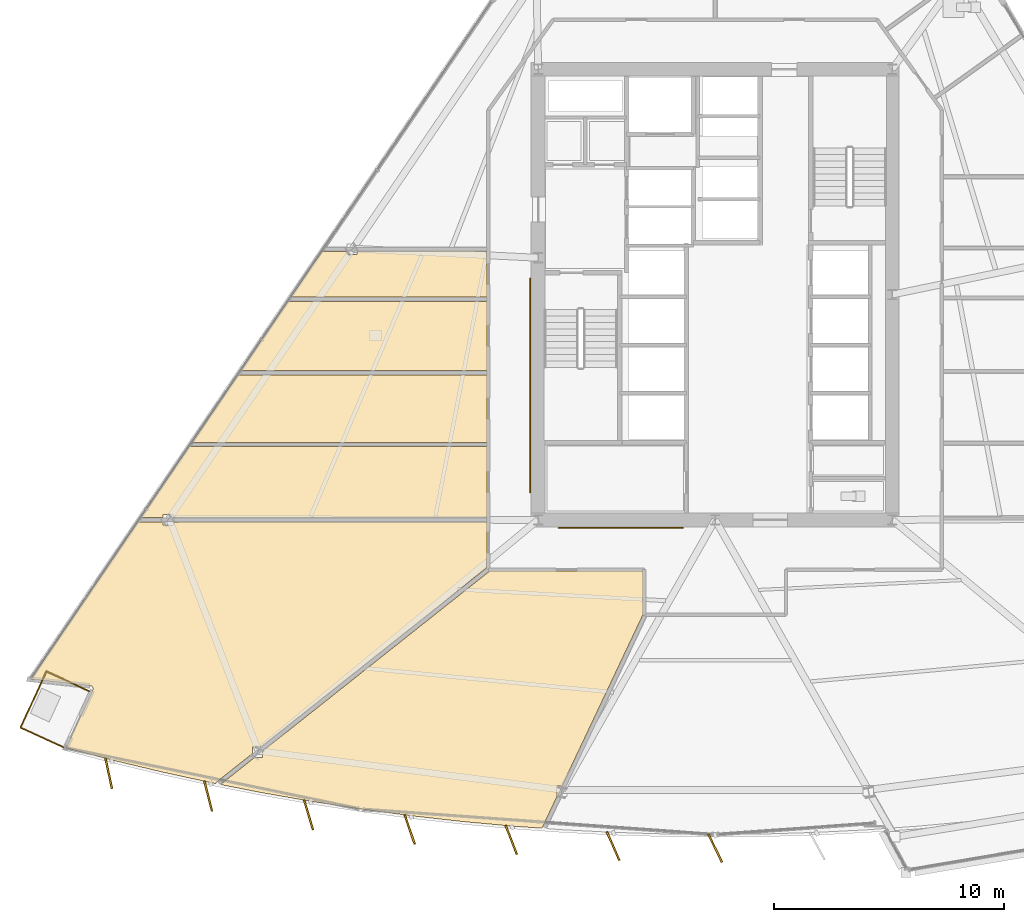
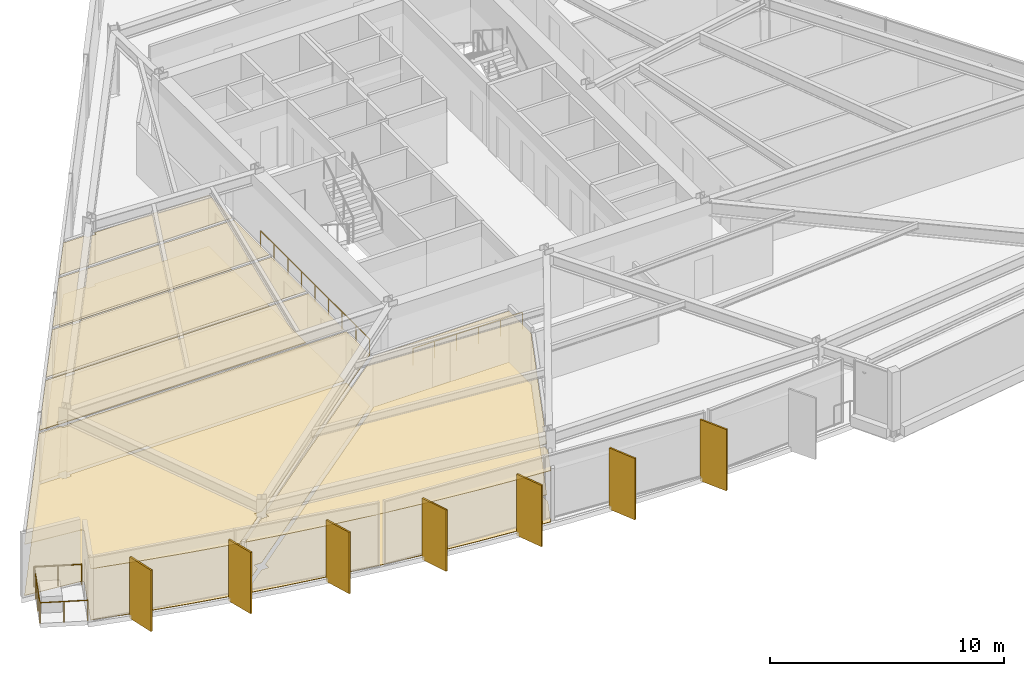
# One storey, part 13 of 18: 12 coverings, 7 shading devices, 5 railings.
"""IFC4 building model written with IfcOpenShell, lengths in metres."""

from ifc_helpers import new_model, si_unit, direction, frame, origin, origin_2d, place, context, subcontext, project, spatial, polyline, rectangle, circle, outline, extrude, material, layer, layer_set, type_object, element, save


model = new_model("IFC4")

# Units and contexts
model_context = context("Model", 3, precision=1e-05, world=origin(), true_north=direction((0.0, 1.0)))
body_context = subcontext(model_context, "Body", "Model", "MODEL_VIEW")
ifc_project = project(units=[si_unit("LENGTHUNIT", "METRE"), si_unit("AREAUNIT", "SQUARE_METRE"), si_unit("VOLUMEUNIT", "CUBIC_METRE"), si_unit("PLANEANGLEUNIT", "RADIAN"), si_unit("MASSUNIT", "GRAM", prefix="KILO")], contexts=[model_context])

# Site, building, storey
site_placement = place(None, origin())
site = spatial("IfcSite", under=ifc_project, at=site_placement, CompositionType="ELEMENT")
building_placement = place(site_placement, origin())
building = spatial("IfcBuilding", under=site, at=building_placement, Name="Savorim Split Tower", CompositionType="ELEMENT")
storey_placement = place(building_placement, frame((0.0, 0.0, 48.0)))
storey = spatial("IfcBuildingStorey", under=building, at=storey_placement, Name="L12", CompositionType="ELEMENT", Elevation=48.0)

# Coverings
ifc_material_1 = material(Name="Mineral Fibre Acoustic Ceiling")
ifc_layer_1 = layer(ifc_material_1, 0.02490234375)
ifc_layer_set_1 = layer_set([ifc_layer_1], Name="COV-CEIL-25")
covering_type_1 = type_object("IfcCoveringType", Name="COV-CEIL-25", PredefinedType="CEILING", material=ifc_layer_set_1)
covering_1_placement = place(storey_placement, frame((0.0, 0.0, 2.669921875)))
element("IfcCovering", 1, at=covering_1_placement, inside=storey, type_object=covering_type_1, Name="L12 Shared Kitchen Acoustic Ceiling", PredefinedType="CEILING", context=body_context, shape_type="SweptSolid", body=[
    extrude(outline(polyline([(-18.58349609375, 0.10888671875), (-20.629150390625, -2.8984375), (-9.919921875, -2.8984375), (-9.919921875, 0.10888671875), (-18.58349609375, 0.10888671875)])), origin(), (0.0, 0.0, 1.0), 0.025146484375),
])
covering_2_placement = place(storey_placement, frame((0.0, 0.0, 2.669921875)))
element("IfcCovering", 2, at=covering_2_placement, inside=storey, type_object=covering_type_1, Name="L12 Quiet Study Room Acoustic Ceiling", PredefinedType="CEILING", context=body_context, shape_type="SweptSolid", body=[
    extrude(outline(polyline([(-20.75830078125, -3.08837890625), (-22.755859375, -6.024658203125), (-9.919921875, -6.024658203125), (-9.919921875, -3.08837890625), (-20.75830078125, -3.08837890625)])), origin(), (0.0, 0.0, 1.0), 0.025146484375),
])
covering_3_placement = place(storey_placement, frame((0.0, 0.0, 2.669921875)))
element("IfcCovering", 3, at=covering_3_placement, inside=storey, type_object=covering_type_1, Name="L12 Quiet Study Room Acoustic Ceiling", PredefinedType="CEILING", context=body_context, shape_type="SweptSolid", body=[
    extrude(outline(polyline([(-23.574951171875, -9.15478515625), (-23.574951171875, -9.292724609375), (-9.919921875, -9.292724609375), (-9.919921875, -6.214599609375), (-22.88525390625, -6.214599609375), (-24.97900390625, -9.292724609375), (-24.010986328125, -9.292724609375), (-24.010986328125, -9.15478515625), (-23.574951171875, -9.15478515625)])), origin(), (0.0, 0.0, 1.0), 0.025146484375),
])
covering_4_placement = place(storey_placement, frame((0.0, 0.0, 2.669921875)))
element("IfcCovering", 4, at=covering_4_placement, inside=storey, type_object=covering_type_1, Name="L12 Co-Working Commons Acoustic Ceiling", PredefinedType="CEILING", context=body_context, shape_type="SweptSolid", body=[
    extrude(outline(polyline([(-27.056396484375, -16.72802734375), (-27.05615234375, -16.739990234375), (-27.056884765625, -16.751708984375), (-27.05908203125, -16.763671875), (-27.0625, -16.77490234375), (-27.06689453125, -16.7861328125), (-28.231201171875, -19.320068359375), (-26.232177734375, -19.843017578125), (-24.0849609375, -20.357666015625), (-21.927490234375, -20.82861328125), (-21.684326171875, -20.87646484375), (-21.72216796875, -20.8291015625), (-20.118896484375, -19.55810546875), (-20.118896484375, -19.2734375), (-19.759765625, -19.2734375), (-9.947021484375, -11.494384765625), (-9.919921875, -11.472900390625), (-9.919921875, -9.482666015625), (-23.574951171875, -9.482666015625), (-23.574951171875, -9.62060546875), (-24.010986328125, -9.62060546875), (-24.010986328125, -9.482666015625), (-24.983154296875, -9.482666015625), (-25.078125, -9.482666015625), (-25.078125, -9.4384765625), (-29.763916015625, -16.326416015625), (-27.16259765625, -16.61669921875), (-27.15087890625, -16.61865234375), (-27.139404296875, -16.62158203125), (-27.128173828125, -16.6259765625), (-27.117431640625, -16.631103515625), (-27.107421875, -16.637451171875), (-27.097900390625, -16.644775390625), (-27.08935546875, -16.653076171875), (-27.08154296875, -16.662109375), (-27.07470703125, -16.671875), (-27.068603515625, -16.68212890625), (-27.06396484375, -16.693115234375), (-27.060302734375, -16.70458984375), (-27.0576171875, -16.716064453125), (-27.056396484375, -16.72802734375)])), origin(), (0.0, 0.0, 1.0), 0.025146484375),
])
covering_5_placement = place(storey_placement, frame((0.0, 0.0, 2.669921875)))
element("IfcCovering", 5, at=covering_5_placement, inside=storey, type_object=covering_type_1, Name="L12 Co-Working Commons Acoustic Ceiling", PredefinedType="CEILING", context=body_context, shape_type="SweptSolid", body=[
    extrude(outline(polyline([(-15.404296875, -21.974853515625), (-13.215576171875, -22.267578125), (-11.021484375, -22.515625), (-8.82275390625, -22.71875), (-7.534423828125, -22.81103515625), (-6.885009765625, -21.43798828125), (-6.8876953125, -21.43798828125), (-6.8876953125, -20.97216796875), (-6.664794921875, -20.97216796875), (-3.147216796875, -13.53515625), (-3.130615234375, -13.5), (-3.134033203125, -13.490478515625), (-3.13720703125, -13.477294921875), (-3.139404296875, -13.463623046875), (-3.139892578125, -13.449951171875), (-3.139892578125, -11.6201171875), (-9.780029296875, -11.6201171875), (-9.793701171875, -11.619384765625), (-9.798095703125, -11.61865234375), (-19.682861328125, -19.454833984375), (-19.682861328125, -19.739501953125), (-20.041748046875, -19.739501953125), (-21.517578125, -20.9091796875), (-19.760986328125, -21.255126953125), (-17.586181640625, -21.63720703125), (-15.404296875, -21.974853515625)])), origin(), (0.0, 0.0, 1.0), 0.025146484375),
])
covering_6_placement = place(storey_placement, frame((0.0, 0.0, 2.669921875)))
element("IfcCovering", 6, at=covering_6_placement, inside=storey, type_object=covering_type_1, Name="L12 Co-Living Bedroom Acoustic Ceiling", PredefinedType="CEILING", context=body_context, shape_type="SweptSolid", body=[
    extrude(outline(polyline([(-16.007568359375, 2.2822265625), (-16.979736328125, 2.2822265625), (-17.07470703125, 2.2822265625), (-17.07470703125, 2.326416015625), (-18.4541015625, 0.298828125), (-9.919921875, 0.298828125), (-9.919921875, 2.2822265625), (-15.571533203125, 2.2822265625), (-15.571533203125, 2.144287109375), (-16.007568359375, 2.144287109375), (-16.007568359375, 2.2822265625)])), origin(), (0.0, 0.0, 1.0), 0.025146484375),
])
ifc_material_2 = material(Name="Porcelain Stoneware Flooring", Category="masonry")
ifc_layer_2 = layer(ifc_material_2, 0.02001953125)
ifc_layer_set_2 = layer_set([ifc_layer_2], Name="COV-FLOR-20")
covering_type_2 = type_object("IfcCoveringType", Name="COV-FLOR-20", PredefinedType="FLOORING", material=ifc_layer_set_2)
covering_7_placement = place(storey_placement, origin())
element("IfcCovering", 7, at=covering_7_placement, inside=storey, type_object=covering_type_2, Name="L12 Shared Kitchen Porcelain Flooring", PredefinedType="FLOORING", context=body_context, shape_type="SweptSolid", body=[
    extrude(outline(polyline([(-18.58349609375, 0.10888671875), (-20.629150390625, -2.8984375), (-9.919921875, -2.8984375), (-9.919921875, 0.10888671875), (-18.58349609375, 0.10888671875)])), origin(), (0.0, 0.0, 1.0), 0.02001953125),
])
covering_8_placement = place(storey_placement, origin())
element("IfcCovering", 8, at=covering_8_placement, inside=storey, type_object=covering_type_2, Name="L12 Quiet Study Room Porcelain Flooring", PredefinedType="FLOORING", context=body_context, shape_type="SweptSolid", body=[
    extrude(outline(polyline([(-20.75830078125, -3.08837890625), (-22.755859375, -6.024658203125), (-9.919921875, -6.024658203125), (-9.919921875, -3.08837890625), (-20.75830078125, -3.08837890625)])), origin(), (0.0, 0.0, 1.0), 0.02001953125),
])
covering_9_placement = place(storey_placement, origin())
element("IfcCovering", 9, at=covering_9_placement, inside=storey, type_object=covering_type_2, Name="L12 Quiet Study Room Porcelain Flooring", PredefinedType="FLOORING", context=body_context, shape_type="SweptSolid", body=[
    extrude(outline(polyline([(-23.574951171875, -9.15478515625), (-23.574951171875, -9.292724609375), (-9.919921875, -9.292724609375), (-9.919921875, -6.214599609375), (-22.88525390625, -6.214599609375), (-24.97900390625, -9.292724609375), (-24.010986328125, -9.292724609375), (-24.010986328125, -9.15478515625), (-23.574951171875, -9.15478515625)])), origin(), (0.0, 0.0, 1.0), 0.02001953125),
])
covering_10_placement = place(storey_placement, origin())
element("IfcCovering", 10, at=covering_10_placement, inside=storey, type_object=covering_type_2, Name="L12 Co-Working Commons Porcelain Flooring", PredefinedType="FLOORING", context=body_context, shape_type="SweptSolid", body=[
    extrude(outline(polyline([(-27.056396484375, -16.72802734375), (-27.05615234375, -16.739990234375), (-27.056884765625, -16.751708984375), (-27.05908203125, -16.763671875), (-27.0625, -16.77490234375), (-27.06689453125, -16.7861328125), (-28.231201171875, -19.320068359375), (-26.232177734375, -19.843017578125), (-24.0849609375, -20.357666015625), (-21.927490234375, -20.82861328125), (-21.684326171875, -20.87646484375), (-21.72216796875, -20.8291015625), (-20.118896484375, -19.55810546875), (-20.118896484375, -19.2734375), (-19.759765625, -19.2734375), (-9.947021484375, -11.494384765625), (-9.919921875, -11.472900390625), (-9.919921875, -9.482666015625), (-23.574951171875, -9.482666015625), (-23.574951171875, -9.62060546875), (-24.010986328125, -9.62060546875), (-24.010986328125, -9.482666015625), (-24.983154296875, -9.482666015625), (-25.078125, -9.482666015625), (-25.078125, -9.4384765625), (-29.763916015625, -16.326416015625), (-27.16259765625, -16.61669921875), (-27.15087890625, -16.61865234375), (-27.139404296875, -16.62158203125), (-27.128173828125, -16.6259765625), (-27.117431640625, -16.631103515625), (-27.107421875, -16.637451171875), (-27.097900390625, -16.644775390625), (-27.08935546875, -16.653076171875), (-27.08154296875, -16.662109375), (-27.07470703125, -16.671875), (-27.068603515625, -16.68212890625), (-27.06396484375, -16.693115234375), (-27.060302734375, -16.70458984375), (-27.0576171875, -16.716064453125), (-27.056396484375, -16.72802734375)])), origin(), (0.0, 0.0, 1.0), 0.02001953125),
])
covering_11_placement = place(storey_placement, origin())
element("IfcCovering", 11, at=covering_11_placement, inside=storey, type_object=covering_type_2, Name="L12 Co-Working Commons Porcelain Flooring", PredefinedType="FLOORING", context=body_context, shape_type="SweptSolid", body=[
    extrude(outline(polyline([(-15.404296875, -21.974853515625), (-13.215576171875, -22.267578125), (-11.021484375, -22.515625), (-8.82275390625, -22.71875), (-7.534423828125, -22.81103515625), (-6.885009765625, -21.43798828125), (-6.8876953125, -21.43798828125), (-6.8876953125, -20.97216796875), (-6.664794921875, -20.97216796875), (-3.147216796875, -13.53515625), (-3.130615234375, -13.5), (-3.134033203125, -13.490478515625), (-3.13720703125, -13.477294921875), (-3.139404296875, -13.463623046875), (-3.139892578125, -13.449951171875), (-3.139892578125, -11.6201171875), (-9.780029296875, -11.6201171875), (-9.793701171875, -11.619384765625), (-9.798095703125, -11.61865234375), (-19.682861328125, -19.454833984375), (-19.682861328125, -19.739501953125), (-20.041748046875, -19.739501953125), (-21.517578125, -20.9091796875), (-19.760986328125, -21.255126953125), (-17.586181640625, -21.63720703125), (-15.404296875, -21.974853515625)])), origin(), (0.0, 0.0, 1.0), 0.02001953125),
])
covering_12_placement = place(storey_placement, origin())
element("IfcCovering", 12, at=covering_12_placement, inside=storey, type_object=covering_type_2, Name="L12 Co-Living Bedroom Porcelain Flooring", PredefinedType="FLOORING", context=body_context, shape_type="SweptSolid", body=[
    extrude(outline(polyline([(-16.007568359375, 2.2822265625), (-16.979736328125, 2.2822265625), (-17.07470703125, 2.2822265625), (-17.07470703125, 2.326416015625), (-18.4541015625, 0.298828125), (-9.919921875, 0.298828125), (-9.919921875, 2.2822265625), (-15.571533203125, 2.2822265625), (-15.571533203125, 2.144287109375), (-16.007568359375, 2.144287109375), (-16.007568359375, 2.2822265625)])), origin(), (0.0, 0.0, 1.0), 0.02001953125),
])

# Railings
ifc_material_3 = material(Name="Galvanised Painted Steel Balustrade", Category="steel")
railing_type_1 = type_object("IfcRailingType", Name="RLG-BAL-1100", PredefinedType="BALUSTRADE", material=ifc_material_3)
railing_1_placement = place(storey_placement, frame((-28.349853515625, -19.291015625, 0.0)))
element("IfcRailing", 13, at=railing_1_placement, inside=storey, type_object=railing_type_1, Name="L12 Tree Balcony Guardrail SW-1", PredefinedType="BALUSTRADE", context=body_context, shape_type="SweptSolid", body=[
    extrude(circle(Radius=0.02392578125, at=origin_2d()), frame((0.0, 0.0, 1.076171875), z_axis=(-0.908662190505, 0.417532062898, 0.0), x_axis=(-0.417532062898, -0.908662190505, 0.0)), (0.0, 0.0, 1.0), 2.050048828125),
    extrude(circle(Radius=0.02099609375, at=origin_2d()), origin(), (0.0, 0.0, 1.0), 1.052001953125),
    extrude(circle(Radius=0.02099609375, at=origin_2d()), frame((-0.931396484375, 0.427978515625, 0.0)), (0.0, 0.0, 1.0), 1.052001953125),
    extrude(circle(Radius=0.02099609375, at=origin_2d()), frame((-1.86279296875, 0.85595703125, 0.0)), (0.0, 0.0, 1.0), 1.052001953125),
])
railing_2_placement = place(storey_placement, frame((-30.212646484375, -18.43505859375, 0.0)))
element("IfcRailing", 14, at=railing_2_placement, inside=storey, type_object=railing_type_1, Name="L12 Tree Balcony Guardrail SW-2", PredefinedType="BALUSTRADE", context=body_context, shape_type="SweptSolid", body=[
    extrude(circle(Radius=0.02392578125, at=origin_2d()), frame((0.0, 0.0, 1.076171875), z_axis=(0.417475883563, 0.908688002916, 0.0), x_axis=(-0.908688002916, 0.417475883563, 0.0)), (0.0, 0.0, 1.0), 2.69189453125),
    extrude(circle(Radius=0.02099609375, at=origin_2d()), origin(), (0.0, 0.0, 1.0), 1.052001953125),
    extrude(circle(Radius=0.02099609375, at=origin_2d()), frame((0.37451171875, 0.8154296875, 0.0)), (0.0, 0.0, 1.0), 1.052001953125),
    extrude(circle(Radius=0.02099609375, at=origin_2d()), frame((0.749267578125, 1.630615234375, 0.0)), (0.0, 0.0, 1.0), 1.052001953125),
    extrude(circle(Radius=0.02099609375, at=origin_2d()), frame((1.123779296875, 2.446044921875, 0.0)), (0.0, 0.0, 1.0), 1.052001953125),
])
railing_3_placement = place(storey_placement, frame((-29.0888671875, -15.989013671875, 0.0)))
element("IfcRailing", 15, at=railing_3_placement, inside=storey, type_object=railing_type_1, Name="L12 Tree Balcony Guardrail SW-3", PredefinedType="BALUSTRADE", context=body_context, shape_type="SweptSolid", body=[
    extrude(circle(Radius=0.02392578125, at=origin_2d()), frame((0.0, 0.0, 1.076171875), z_axis=(0.908662190505, -0.417532062898, 0.0), x_axis=(0.417532062898, 0.908662190505, 0.0)), (0.0, 0.0, 1.0), 2.050048828125),
    extrude(circle(Radius=0.02099609375, at=origin_2d()), origin(), (0.0, 0.0, 1.0), 1.052001953125),
    extrude(circle(Radius=0.02099609375, at=origin_2d()), frame((0.931396484375, -0.427978515625, 0.0)), (0.0, 0.0, 1.0), 1.052001953125),
    extrude(circle(Radius=0.02099609375, at=origin_2d()), frame((1.86279296875, -0.85595703125, 0.0)), (0.0, 0.0, 1.0), 1.052001953125),
])
railing_type_2 = type_object("IfcRailingType", Name="RLG-HR-900", PredefinedType="HANDRAIL", material=ifc_material_3)
railing_4_placement = place(storey_placement, frame((-6.800048828125, -9.75, 0.0)))
element("IfcRailing", 16, at=railing_4_placement, inside=storey, type_object=railing_type_2, Name="L12 Corridor South Accessible Handrail", PredefinedType="HANDRAIL", context=body_context, shape_type="SweptSolid", body=[
    extrude(circle(Radius=0.02392578125, at=origin_2d()), frame((0.0, 0.0, 0.8759765625), z_axis=(1.0, 0.0, 0.0), x_axis=(0.0, 1.0, 0.0)), (0.0, 0.0, 1.0), 5.400146484375),
    extrude(circle(Radius=0.02099609375, at=origin_2d()), origin(), (0.0, 0.0, 1.0), 0.851806640625),
    extrude(circle(Radius=0.02099609375, at=origin_2d()), frame((1.080078125, 0.0, 0.0)), (0.0, 0.0, 1.0), 0.851806640625),
    extrude(circle(Radius=0.02099609375, at=origin_2d()), frame((2.16015625, 0.0, 0.0)), (0.0, 0.0, 1.0), 0.851806640625),
    extrude(circle(Radius=0.02099609375, at=origin_2d()), frame((3.239990234375, 0.0, 0.0)), (0.0, 0.0, 1.0), 0.851806640625),
    extrude(circle(Radius=0.02099609375, at=origin_2d()), frame((4.320068359375, 0.0, 0.0)), (0.0, 0.0, 1.0), 0.851806640625),
    extrude(circle(Radius=0.02099609375, at=origin_2d()), frame((5.400146484375, 0.0, 0.0)), (0.0, 0.0, 1.0), 0.851806640625),
])
railing_5_placement = place(storey_placement, frame((-8.050048828125, -8.199951171875, 0.0)))
element("IfcRailing", 17, at=railing_5_placement, inside=storey, type_object=railing_type_2, Name="L12 Corridor West Accessible Handrail", PredefinedType="HANDRAIL", context=body_context, shape_type="SweptSolid", body=[
    extrude(circle(Radius=0.02392578125, at=origin_2d()), frame((0.0, 0.0, 0.8759765625), z_axis=(0.0, 1.0, 0.0), x_axis=(-1.0, 0.0, 0.0)), (0.0, 0.0, 1.0), 9.300048828125),
    extrude(circle(Radius=0.02099609375, at=origin_2d()), origin(), (0.0, 0.0, 1.0), 0.851806640625),
    extrude(circle(Radius=0.02099609375, at=origin_2d()), frame((0.0, 1.16259765625, 0.0)), (0.0, 0.0, 1.0), 0.851806640625),
    extrude(circle(Radius=0.02099609375, at=origin_2d()), frame((0.0, 2.324951171875, 0.0)), (0.0, 0.0, 1.0), 0.851806640625),
    extrude(circle(Radius=0.02099609375, at=origin_2d()), frame((0.0, 3.487548828125, 0.0)), (0.0, 0.0, 1.0), 0.851806640625),
    extrude(circle(Radius=0.02099609375, at=origin_2d()), frame((0.0, 4.64990234375, 0.0)), (0.0, 0.0, 1.0), 0.851806640625),
    extrude(circle(Radius=0.02099609375, at=origin_2d()), frame((0.0, 5.8125, 0.0)), (0.0, 0.0, 1.0), 0.851806640625),
    extrude(circle(Radius=0.02099609375, at=origin_2d()), frame((0.0, 6.97509765625, 0.0)), (0.0, 0.0, 1.0), 0.851806640625),
    extrude(circle(Radius=0.02099609375, at=origin_2d()), frame((0.0, 8.137451171875, 0.0)), (0.0, 0.0, 1.0), 0.851806640625),
    extrude(circle(Radius=0.02099609375, at=origin_2d()), frame((0.0, 9.300048828125, 0.0)), (0.0, 0.0, 1.0), 0.851806640625),
])

# Shading devices
ifc_material_4 = material(Name="Terracotta Ceramic-Coated Aluminium Fin", Category="masonry")
shading_device_type = type_object("IfcShadingDeviceType", Name="SHD-FIN-1360", PredefinedType="USERDEFINED", material=ifc_material_4)
for number, where, z_axis, x_axis, name in (
    (18, (-26.377197265625, -20.4208984375, -0.2001953125), (0.0, 0.0, 1.0), (0.206721626106, -0.978399800337, 0.0), "L12 Sawtooth Shading Fin 01"),
    (19, (-22.048583984375, -21.412109375, -0.2001953125), (0.0, 0.0, 1.0), (0.246581250663, -0.969122121727, 0.0), "L12 Sawtooth Shading Fin 02"),
    (20, (-17.68359375, -22.225341796875, -0.2001953125), (0.0, 0.0, 1.0), (0.286026212504, -0.958221793616, 0.0), "L12 Sawtooth Shading Fin 03"),
    (21, (-13.28857421875, -22.859130859375, -0.2001953125), (0.0, 0.0, 1.0), (0.324993810493, -0.945716143005, 0.0), "L12 Sawtooth Shading Fin 04"),
    (22, (-8.871337890625, -23.312744140625, -0.2001953125), (0.0, 0.0, 1.0), (0.363415461732, -0.931627179817, 0.0), "L12 Sawtooth Shading Fin 05"),
    (23, (-4.439453125, -23.585205078125, -0.2001953125), (0.0, 0.0, 1.0), (0.401230091723, -0.915977299662, 0.0), "L12 Sawtooth Shading Fin 06"),
    (24, (0.0, -23.676025390625, -0.2001953125), (0.0, 0.0, 1.0), (0.438371146789, -0.898794046299, 0.0), "L12 Sawtooth Shading Fin 07"),
):
    element("IfcShadingDevice", number, at=place(storey_placement, frame(where, z_axis=z_axis, x_axis=x_axis)), inside=storey, type_object=shading_device_type, Name=name, ObjectType="FIN", PredefinedType="USERDEFINED", context=body_context, shape_type="SweptSolid", body=[
        extrude(rectangle(XDim=1.360107421875, YDim=0.080078125, at=origin_2d()), origin(), (0.0, 0.0, 1.0), 3.199951171875),
    ])

save(model, "model.ifc")
